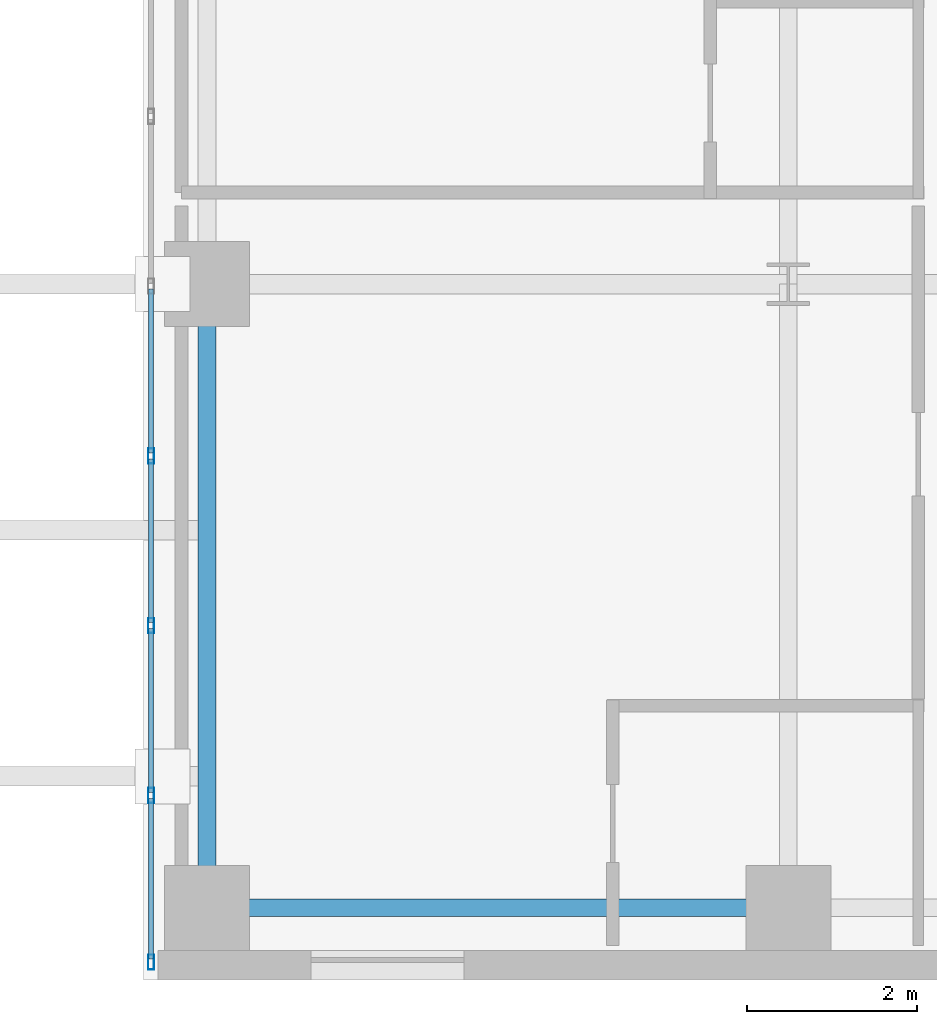
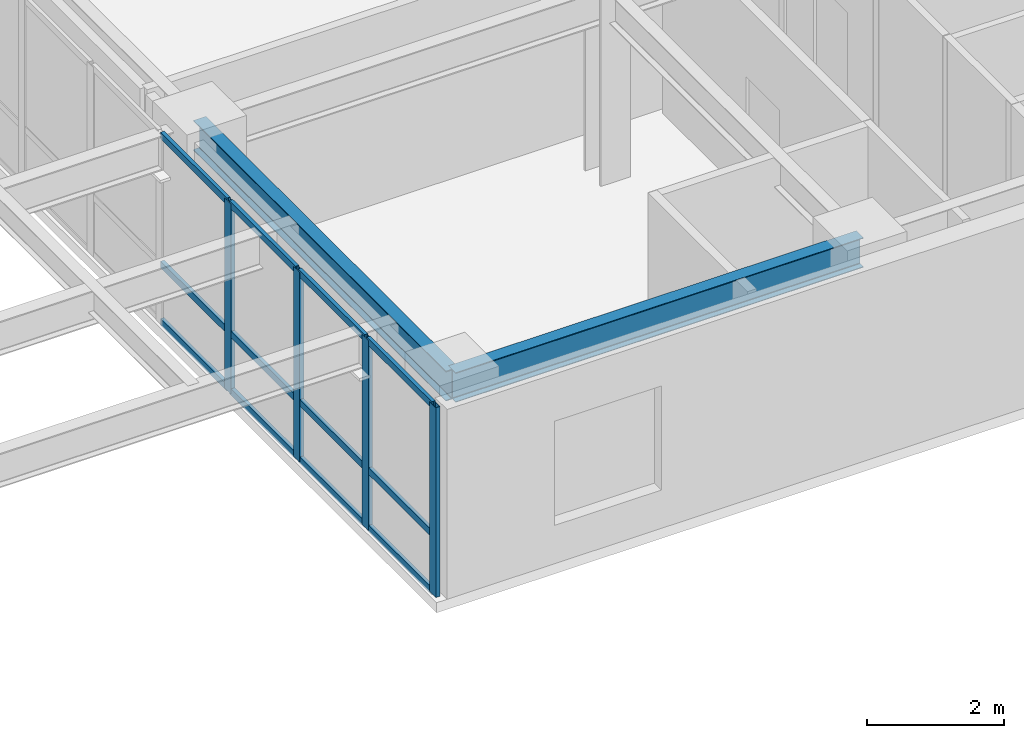
# One storey, part 5 of 16: 16 members, 2 beams, 1 element without a shape of its own.
"""IFC4 building model written with IfcOpenShell, lengths in metres."""

import ifcopenshell
import ifcopenshell.guid

model = None  # the IFC model being written
_history = None  # IfcOwnerHistory: only IFC2X3 demands one
_inside = {}  # id of a spatial element -> (the spatial element, [elements in it])
_under = {}  # id of a project, library or spatial element -> (it, [spatial elements below it])
_declared = {}  # id of a project -> (the project, [libraries it declares])
_typed = {}  # id of a type object -> (the type object, [elements of that type])
_made_of = {}  # id of a material, layer set ... -> (it, [elements and type objects made of it])


def new_model(schema):
    """Start an empty IFC model of exactly this schema.

    Asked for "IFC4X3", IfcOpenShell would pick the latest addendum, in which some entities
    have other attributes; the version numbers below select the first issue.
    IFC2X3 requires an IfcOwnerHistory on every rooted entity: one is made here for all.
    """
    global model, _history
    if schema == "IFC4X3":
        model = ifcopenshell.file(schema_version=(4, 3, 0, 0))
    else:
        model = ifcopenshell.file(schema=schema)
    _inside.clear()
    _under.clear()
    _declared.clear()
    _typed.clear()
    _made_of.clear()
    _history = None
    if model.schema == "IFC2X3":
        org = make("IfcOrganization", Name="unknown")
        user = make(
            "IfcPersonAndOrganization",
            ThePerson=make("IfcPerson", FamilyName="unknown"),
            TheOrganization=org,
        )
        app = make(
            "IfcApplication",
            ApplicationDeveloper=org,
            Version="unknown",
            ApplicationFullName="unknown",
            ApplicationIdentifier="unknown",
        )
        _history = make(
            "IfcOwnerHistory",
            OwningUser=user,
            OwningApplication=app,
            ChangeAction="ADDED",
            CreationDate=0,
        )
    return model


def make(cls, **values):
    """One entity of the class cls with the attributes given. An attribute that is None is left unset."""
    return model.create_entity(
        cls, **{name: value for name, value in values.items() if value is not None}
    )


def rooted(cls, **values):
    """An entity with a GlobalId (a new one), such as an element, a storey or a relation."""
    return make(cls, GlobalId=ifcopenshell.guid.new(), OwnerHistory=_history, **values)


def si_unit(unit_type, name, prefix=None):
    """IfcSIUnit, for example si_unit("LENGTHUNIT", "METRE", prefix="MILLI")."""
    return make("IfcSIUnit", UnitType=unit_type, Prefix=prefix, Name=name)


def assignment(units):
    """IfcUnitAssignment: the units of a project."""
    return None if units is None else make("IfcUnitAssignment", Units=units)


def point(xyz):
    """IfcCartesianPoint."""
    return None if xyz is None else make("IfcCartesianPoint", Coordinates=xyz)


def direction(xyz):
    """IfcDirection."""
    return None if xyz is None else make("IfcDirection", DirectionRatios=xyz)


def frame(location, z_axis=None, x_axis=None):
    """IfcAxis2Placement3D, a coordinate frame: its origin and axes. An axis left out is left unset."""
    return make(
        "IfcAxis2Placement3D",
        Location=point(location),
        Axis=direction(z_axis),
        RefDirection=direction(x_axis),
    )


def frame_2d(location, x_axis=None):
    """IfcAxis2Placement2D, a coordinate frame in the plane: its origin and x axis."""
    return make(
        "IfcAxis2Placement2D", Location=point(location), RefDirection=direction(x_axis)
    )


def origin():
    """The frame at (0, 0, 0) with its axes left unset."""
    return frame((0.0, 0.0, 0.0))


def origin_2d():
    """The frame at (0, 0) in the plane with its x axis left unset."""
    return frame_2d((0.0, 0.0))


def place(relative_to, where):
    """IfcLocalPlacement: puts the frame where relative to a parent placement (None: the world)."""
    return make(
        "IfcLocalPlacement", PlacementRelTo=relative_to, RelativePlacement=where
    )


def context(
    kind, dimensions, precision=None, world=None, true_north=None, identifier=None
):
    """IfcGeometricRepresentationContext, for example the 3D "Model" context."""
    return make(
        "IfcGeometricRepresentationContext",
        ContextIdentifier=identifier,
        ContextType=kind,
        CoordinateSpaceDimension=dimensions,
        Precision=precision,
        WorldCoordinateSystem=world,
        TrueNorth=true_north,
    )


def subcontext(parent, identifier, kind, view, scale=None):
    """IfcGeometricRepresentationSubContext, for example "Body" below "Model"."""
    return make(
        "IfcGeometricRepresentationSubContext",
        ContextIdentifier=identifier,
        ContextType=kind,
        ParentContext=parent,
        TargetScale=scale,
        TargetView=view,
    )


def project(units=None, contexts=None):
    """IfcProject with its units and contexts."""
    return rooted(
        "IfcProject",
        Name="project",
        RepresentationContexts=contexts,
        UnitsInContext=assignment(units),
    )


def spatial(cls, under=None, at=None, **own):
    """A site, building, storey or space (cls), placed at a placement, below another one or the project."""
    s = rooted(cls, ObjectPlacement=at, **own)
    if under is not None:
        _under.setdefault(under.id(), (under, []))[1].append(s)
    return s


def profile(cls, at=None, kind="AREA", **sizes):
    """A parametric profile (cls). Its sizes go by their IFC names, for example OverallWidth=200.0."""
    return make(cls, ProfileType=kind, Position=at, **sizes)


def hollow_rectangle(**sizes):
    """IfcRectangleHollowProfileDef."""
    return profile("IfcRectangleHollowProfileDef", **sizes)


def i_section(**sizes):
    """IfcIShapeProfileDef."""
    return profile("IfcIShapeProfileDef", **sizes)


def extrude(swept, where, along, depth):
    """IfcExtrudedAreaSolid: the profile swept, set in the frame where, extruded along a direction by depth."""
    return make(
        "IfcExtrudedAreaSolid",
        SweptArea=swept,
        Position=where,
        ExtrudedDirection=direction(along),
        Depth=depth,
    )


def shape(context_of_items, identifier, shape_type, items):
    """IfcShapeRepresentation: the items that make up one representation, for example the "Body"."""
    return make(
        "IfcShapeRepresentation",
        ContextOfItems=context_of_items,
        RepresentationIdentifier=identifier,
        RepresentationType=shape_type,
        Items=items,
    )


def source(mapping_origin, context_of_items, identifier, shape_type, items):
    """IfcRepresentationMap: a shape defined once, which mapped items show again and again."""
    return make(
        "IfcRepresentationMap",
        MappingOrigin=mapping_origin,
        MappedRepresentation=shape(context_of_items, identifier, shape_type, items),
    )


def transform(
    local_origin,
    x_axis=None,
    y_axis=None,
    z_axis=None,
    scale=None,
    scale2=None,
    scale3=None,
    uniform=True,
):
    """IfcCartesianTransformationOperator3D, or its non-uniform kind. x_axis, y_axis, z_axis: its Axis1, 2, 3."""
    if uniform:
        return make(
            "IfcCartesianTransformationOperator3D",
            Axis1=direction(x_axis),
            Axis2=direction(y_axis),
            LocalOrigin=point(local_origin),
            Scale=scale,
            Axis3=direction(z_axis),
        )
    return make(
        "IfcCartesianTransformationOperator3DnonUniform",
        Axis1=direction(x_axis),
        Axis2=direction(y_axis),
        LocalOrigin=point(local_origin),
        Scale=scale,
        Axis3=direction(z_axis),
        Scale2=scale2,
        Scale3=scale3,
    )


def mapped(mapping_source, mapping_target):
    """IfcMappedItem: shows the shape of a source again, moved by a transform."""
    return make(
        "IfcMappedItem", MappingSource=mapping_source, MappingTarget=mapping_target
    )


def material(Name=None, Category=None):
    """IfcMaterial."""
    return make("IfcMaterial", Name=Name, Category=Category)


def layer(
    of_material, thickness, ventilated=None, Name=None, Category=None, Priority=None
):
    """IfcMaterialLayer: one layer of a wall or slab, of a material (None: an air gap)."""
    return make(
        "IfcMaterialLayer",
        Material=of_material,
        LayerThickness=thickness,
        IsVentilated=ventilated,
        Name=Name,
        Category=Category,
        Priority=Priority,
    )


def layer_set(layers, Name=None):
    """IfcMaterialLayerSet."""
    return make("IfcMaterialLayerSet", MaterialLayers=layers, LayerSetName=Name)


def material_profile(
    of_material, cross_section, Name=None, Category=None, Priority=None
):
    """IfcMaterialProfile: a cross section and its material."""
    return make(
        "IfcMaterialProfile",
        Name=Name,
        Material=of_material,
        Profile=cross_section,
        Priority=Priority,
        Category=Category,
    )


def profile_set(profiles, Name=None, composite=None):
    """IfcMaterialProfileSet."""
    return make(
        "IfcMaterialProfileSet",
        Name=Name,
        MaterialProfiles=profiles,
        CompositeProfile=composite,
    )


def made_of(thing, what):
    """Note that an element or type object is made of a material, layer set ...; save() writes the relation."""
    if what is not None:
        _made_of.setdefault(what.id(), (what, []))[1].append(thing)
    return thing


def type_object(cls, material=None, **own):
    """A type object (cls), such as IfcWallType, which elements share."""
    return made_of(rooted(cls, **own), material)


def type_shapes(of_type, sources):
    """Give a type object the sources (RepresentationMaps) that its elements show as mapped items."""
    of_type.RepresentationMaps = sources


def element(
    cls,
    number,
    at=None,
    inside=None,
    cuts=None,
    type_object=None,
    material=None,
    context=None,
    identifier="Body",
    shape_type=None,
    held_by="IfcProductDefinitionShape",
    body=None,
    shapes=None,
    **own,
):
    """One element of the class cls, such as IfcWall. Its Tag is "e" and its number.

    at: its placement. inside: the storey or other place that contains it. cuts: it is an
    opening in that element (IfcRelVoidsElement). A single representation is given by context,
    identifier, shape_type and body (its items); several are given by shapes. held_by: the class
    of the entity that holds the representations. save() writes the other relations.
    """
    e = rooted(cls, Tag="e%d" % number, ObjectPlacement=at, **own)
    if body is not None:
        shapes = [shape(context, identifier, shape_type, body)]
    if shapes is not None:
        e.Representation = make(held_by, Representations=shapes)
    if inside is not None:
        _inside.setdefault(inside.id(), (inside, []))[1].append(e)
    if cuts is not None:
        rooted(
            "IfcRelVoidsElement", RelatingBuildingElement=cuts, RelatedOpeningElement=e
        )
    if type_object is not None:
        _typed.setdefault(type_object.id(), (type_object, []))[1].append(e)
    return made_of(e, material)


def aggregate(whole, parts):
    """IfcRelAggregates: a whole, such as a stair, and the parts it consists of."""
    return rooted("IfcRelAggregates", RelatingObject=whole, RelatedObjects=parts)


def save(model, path):
    """Write the relations noted so far, then the file.

    IfcRelAggregates (storeys below a building ...), IfcRelContainedInSpatialStructure (elements
    in a storey), IfcRelDefinesByType, IfcRelAssociatesMaterial and IfcRelDeclares: one each for
    every whole, place, type object, material and project.
    """
    for whole, parts in _under.values():
        aggregate(whole, parts)
    for where, things in _inside.values():
        rooted(
            "IfcRelContainedInSpatialStructure",
            RelatedElements=things,
            RelatingStructure=where,
        )
    for kind, things in _typed.values():
        rooted("IfcRelDefinesByType", RelatedObjects=things, RelatingType=kind)
    for what, things in _made_of.values():
        rooted("IfcRelAssociatesMaterial", RelatedObjects=things, RelatingMaterial=what)
    for by, libraries in _declared.values():
        rooted("IfcRelDeclares", RelatingContext=by, RelatedDefinitions=libraries)
    model.write(path)


model = new_model("IFC4")

# Units and contexts
model_context = context("Model", 3, precision=1e-05, world=origin(), true_north=direction((0.0, 1.0)))
body_context = subcontext(model_context, "Body", "Model", "MODEL_VIEW")
ifc_project = project(units=[si_unit("LENGTHUNIT", "METRE"), si_unit("AREAUNIT", "SQUARE_METRE"), si_unit("VOLUMEUNIT", "CUBIC_METRE"), si_unit("PLANEANGLEUNIT", "RADIAN"), si_unit("MASSUNIT", "GRAM", prefix="KILO")], contexts=[model_context])

# Site, building, storey
site_placement = place(None, origin())
site = spatial("IfcSite", under=ifc_project, at=site_placement, CompositionType="ELEMENT")
building_placement = place(site_placement, origin())
building = spatial("IfcBuilding", under=site, at=building_placement, Name="Tolvann Quenvar Hotel", CompositionType="ELEMENT")
storey_placement = place(building_placement, frame((0.0, 0.0, 71.050048828125)))
storey = spatial("IfcBuildingStorey", under=building, at=storey_placement, Name="L17", CompositionType="ELEMENT", Elevation=71.050048828125)

# Beams
ifc_material_1 = material(Name="Steel Grade 350", Category="steel")
ifc_material_profile_1 = material_profile(ifc_material_1, i_section(OverallWidth=0.208984375, OverallDepth=0.528076171875, WebThickness=0.009521484375, FlangeThickness=0.01318359375, FilletRadius=0.013916015625, at=origin_2d()), Name="530UB82")
ifc_profile_set_1 = profile_set([ifc_material_profile_1], Name="Steel Grade 350")
beam_type_1 = type_object("IfcBeamType", Name="BM_SPAND_530UB82", PredefinedType="SPANDREL", material=ifc_profile_set_1)
shared_shape_1 = source(origin(), body_context, "Body", "SweptSolid", [
    extrude(i_section(OverallWidth=0.208984375, OverallDepth=0.528076171875, WebThickness=0.009521484375, FlangeThickness=0.01318359375, FilletRadius=0.013916015625, at=origin_2d()), origin(), (0.0, 0.0, 1.0), 6.85009765625),
])
type_shapes(beam_type_1, [shared_shape_1])
beam_1_placement = place(storey_placement, frame((34.949951171875, 0.85009765625, 3.10595703125), z_axis=(1.0, 0.0, 0.0), x_axis=(0.0, 1.0, 0.0)))
element("IfcBeam", 1, at=beam_1_placement, inside=storey, type_object=beam_type_1, Name="BM-L17-EW-2-F2-H2", PredefinedType="SPANDREL", context=body_context, shape_type="MappedRepresentation", body=[
    mapped(shared_shape_1, transform((0.0, 0.0, 0.0), x_axis=(1.0, 0.0, 0.0), y_axis=(0.0, 1.0, 0.0), z_axis=(0.0, 0.0, 1.0), scale=1.0)),
])
ifc_material_profile_2 = material_profile(ifc_material_1, i_section(OverallWidth=0.208984375, OverallDepth=0.532958984375, WebThickness=0.01025390625, FlangeThickness=0.015625, FilletRadius=0.013916015625, at=origin_2d()), Name="530UB92")
ifc_profile_set_2 = profile_set([ifc_material_profile_2], Name="Steel Grade 350")
beam_type_2 = type_object("IfcBeamType", Name="BM_GIRD_530UB92", PredefinedType="BEAM", material=ifc_profile_set_2)
shared_shape_2 = source(origin(), body_context, "Body", "SweptSolid", [
    extrude(i_section(OverallWidth=0.208984375, OverallDepth=0.532958984375, WebThickness=0.01025390625, FlangeThickness=0.015625, FilletRadius=0.013916015625, at=origin_2d()), origin(), (0.0, 0.0, 1.0), 7.349853515625),
])
type_shapes(beam_type_2, [shared_shape_2])
beam_2_placement = place(storey_placement, frame((34.949951171875, 0.85009765625, 3.103515625), z_axis=(0.0, 1.0, 0.0), x_axis=(-1.0, 0.0, 0.0)))
element("IfcBeam", 2, at=beam_2_placement, inside=storey, type_object=beam_type_2, Name="BM-L17-NS-F2-F3", PredefinedType="BEAM", context=body_context, shape_type="MappedRepresentation", body=[
    mapped(shared_shape_2, transform((0.0, 0.0, 0.0), x_axis=(1.0, 0.0, 0.0), y_axis=(0.0, 1.0, 0.0), z_axis=(0.0, 0.0, 1.0), scale=1.0)),
])

# Curtain wall, members
ifc_material_2 = material(Name="Thermally broken anodised architectural aluminium 6063-T6 and laminated low-E glass", Category="aluminium")
ifc_layer = layer(ifc_material_2, 0.179931640625)
ifc_layer_set = layer_set([ifc_layer], Name="Thermally broken anodised architectural aluminium 6063-T6 and laminated low-E glass")
curtain_wall_type = type_object("IfcCurtainWallType", Name="CW_SYS_SLOT_03", PredefinedType="USERDEFINED", material=ifc_layer_set)
curtain_wall_placement = place(storey_placement, origin())
curtain_wall = element("IfcCurtainWall", 3, at=curtain_wall_placement, inside=storey, type_object=curtain_wall_type, Name="Curtain Wall CW-SLOT-03 (CWR-L17-E07)", ObjectType="UNITISED CURTAIN WALL", PredefinedType="USERDEFINED")
ifc_material_3 = material(Name="Anodised architectural aluminium 6063-T6 framing", Category="aluminium")
ifc_material_profile_3 = material_profile(ifc_material_3, hollow_rectangle(XDim=0.06005859375, YDim=0.1201171875, WallThickness=0.00341796875, at=origin_2d()), Name="120x60x3.5RHS")
ifc_profile_set_3 = profile_set([ifc_material_profile_3], Name="Anodised architectural aluminium 6063-T6 framing")
member_type_1 = type_object("IfcMemberType", Name="CW_TRAN_120x60", PredefinedType="USERDEFINED", material=ifc_profile_set_3)
shared_shape_3 = source(origin(), body_context, "Body", "SweptSolid", [
    extrude(hollow_rectangle(XDim=0.06005859375, YDim=0.1201171875, WallThickness=0.00341796875, at=origin_2d()), origin(), (0.0, 0.0, 1.0), 1.894775390625),
])
member_1_placement = place(storey_placement, frame((34.2900390625, 2.139892578125, 0.030029296875), z_axis=(0.0, -1.0, 0.0), x_axis=(1.0, 0.0, 0.0)))
member_1 = element("IfcMember", 4, at=member_1_placement, type_object=member_type_1, Name="CW-SLOT-03 transom 8.1", ObjectType="TRANSOM", PredefinedType="USERDEFINED", context=body_context, shape_type="MappedRepresentation", body=[
    mapped(shared_shape_3, transform((0.0, 0.0, 0.0), x_axis=(1.0, 0.0, 0.0), y_axis=(0.0, 1.0, 0.0), z_axis=(0.0, 0.0, 1.0), scale=1.0)),
])
member_2_placement = place(storey_placement, frame((34.2900390625, 2.139892578125, 1.050048828125), z_axis=(0.0, -1.0, 0.0), x_axis=(1.0, 0.0, 0.0)))
member_2 = element("IfcMember", 5, at=member_2_placement, type_object=member_type_1, Name="CW-SLOT-03 transom 8.2", ObjectType="TRANSOM", PredefinedType="USERDEFINED", context=body_context, shape_type="MappedRepresentation", body=[
    mapped(shared_shape_3, transform((0.0, 0.0, 0.0), x_axis=(1.0, 0.0, 0.0), y_axis=(0.0, 1.0, 0.0), z_axis=(0.0, 0.0, 1.0), scale=1.0)),
])
member_3_placement = place(storey_placement, frame((34.2900390625, 2.139892578125, 3.33984375), z_axis=(0.0, -1.0, 0.0), x_axis=(1.0, 0.0, 0.0)))
member_3 = element("IfcMember", 6, at=member_3_placement, type_object=member_type_1, Name="CW-SLOT-03 transom 8.3", ObjectType="TRANSOM", PredefinedType="USERDEFINED", context=body_context, shape_type="MappedRepresentation", body=[
    mapped(shared_shape_3, transform((0.0, 0.0, 0.0), x_axis=(1.0, 0.0, 0.0), y_axis=(0.0, 1.0, 0.0), z_axis=(0.0, 0.0, 1.0), scale=1.0)),
])
shared_shape_4 = source(origin(), body_context, "Body", "SweptSolid", [
    extrude(hollow_rectangle(XDim=0.06005859375, YDim=0.1201171875, WallThickness=0.00341796875, at=origin_2d()), origin(), (0.0, 0.0, 1.0), 1.929931640625),
])
type_shapes(member_type_1, [shared_shape_3, shared_shape_4])
member_4_placement = place(storey_placement, frame((34.2900390625, 8.139892578125, 0.030029296875), z_axis=(0.0, -1.0, 0.0), x_axis=(1.0, 0.0, 0.0)))
member_4 = element("IfcMember", 7, at=member_4_placement, type_object=member_type_1, Name="CW-SLOT-03 transom 5.1", ObjectType="TRANSOM", PredefinedType="USERDEFINED", context=body_context, shape_type="MappedRepresentation", body=[
    mapped(shared_shape_4, transform((0.0, 0.0, 0.0), x_axis=(1.0, 0.0, 0.0), y_axis=(0.0, 1.0, 0.0), z_axis=(0.0, 0.0, 1.0), scale=1.0)),
])
member_5_placement = place(storey_placement, frame((34.2900390625, 8.139892578125, 1.050048828125), z_axis=(0.0, -1.0, 0.0), x_axis=(1.0, 0.0, 0.0)))
member_5 = element("IfcMember", 8, at=member_5_placement, type_object=member_type_1, Name="CW-SLOT-03 transom 5.2", ObjectType="TRANSOM", PredefinedType="USERDEFINED", context=body_context, shape_type="MappedRepresentation", body=[
    mapped(shared_shape_4, transform((0.0, 0.0, 0.0), x_axis=(1.0, 0.0, 0.0), y_axis=(0.0, 1.0, 0.0), z_axis=(0.0, 0.0, 1.0), scale=1.0)),
])
member_6_placement = place(storey_placement, frame((34.2900390625, 8.139892578125, 3.33984375), z_axis=(0.0, -1.0, 0.0), x_axis=(1.0, 0.0, 0.0)))
member_6 = element("IfcMember", 9, at=member_6_placement, type_object=member_type_1, Name="CW-SLOT-03 transom 5.3", ObjectType="TRANSOM", PredefinedType="USERDEFINED", context=body_context, shape_type="MappedRepresentation", body=[
    mapped(shared_shape_4, transform((0.0, 0.0, 0.0), x_axis=(1.0, 0.0, 0.0), y_axis=(0.0, 1.0, 0.0), z_axis=(0.0, 0.0, 1.0), scale=1.0)),
])
member_7_placement = place(storey_placement, frame((34.2900390625, 6.139892578125, 0.030029296875), z_axis=(0.0, -1.0, 0.0), x_axis=(1.0, 0.0, 0.0)))
member_7 = element("IfcMember", 10, at=member_7_placement, type_object=member_type_1, Name="CW-SLOT-03 transom 6.1", ObjectType="TRANSOM", PredefinedType="USERDEFINED", context=body_context, shape_type="MappedRepresentation", body=[
    mapped(shared_shape_4, transform((0.0, 0.0, 0.0), x_axis=(1.0, 0.0, 0.0), y_axis=(0.0, 1.0, 0.0), z_axis=(0.0, 0.0, 1.0), scale=1.0)),
])
member_8_placement = place(storey_placement, frame((34.2900390625, 6.139892578125, 1.050048828125), z_axis=(0.0, -1.0, 0.0), x_axis=(1.0, 0.0, 0.0)))
member_8 = element("IfcMember", 11, at=member_8_placement, type_object=member_type_1, Name="CW-SLOT-03 transom 6.2", ObjectType="TRANSOM", PredefinedType="USERDEFINED", context=body_context, shape_type="MappedRepresentation", body=[
    mapped(shared_shape_4, transform((0.0, 0.0, 0.0), x_axis=(1.0, 0.0, 0.0), y_axis=(0.0, 1.0, 0.0), z_axis=(0.0, 0.0, 1.0), scale=1.0)),
])
member_9_placement = place(storey_placement, frame((34.2900390625, 6.139892578125, 3.33984375), z_axis=(0.0, -1.0, 0.0), x_axis=(1.0, 0.0, 0.0)))
member_9 = element("IfcMember", 12, at=member_9_placement, type_object=member_type_1, Name="CW-SLOT-03 transom 6.3", ObjectType="TRANSOM", PredefinedType="USERDEFINED", context=body_context, shape_type="MappedRepresentation", body=[
    mapped(shared_shape_4, transform((0.0, 0.0, 0.0), x_axis=(1.0, 0.0, 0.0), y_axis=(0.0, 1.0, 0.0), z_axis=(0.0, 0.0, 1.0), scale=1.0)),
])
member_10_placement = place(storey_placement, frame((34.2900390625, 4.139892578125, 0.030029296875), z_axis=(0.0, -1.0, 0.0), x_axis=(1.0, 0.0, 0.0)))
member_10 = element("IfcMember", 13, at=member_10_placement, type_object=member_type_1, Name="CW-SLOT-03 transom 7.1", ObjectType="TRANSOM", PredefinedType="USERDEFINED", context=body_context, shape_type="MappedRepresentation", body=[
    mapped(shared_shape_4, transform((0.0, 0.0, 0.0), x_axis=(1.0, 0.0, 0.0), y_axis=(0.0, 1.0, 0.0), z_axis=(0.0, 0.0, 1.0), scale=1.0)),
])
member_11_placement = place(storey_placement, frame((34.2900390625, 4.139892578125, 1.050048828125), z_axis=(0.0, -1.0, 0.0), x_axis=(1.0, 0.0, 0.0)))
member_11 = element("IfcMember", 14, at=member_11_placement, type_object=member_type_1, Name="CW-SLOT-03 transom 7.2", ObjectType="TRANSOM", PredefinedType="USERDEFINED", context=body_context, shape_type="MappedRepresentation", body=[
    mapped(shared_shape_4, transform((0.0, 0.0, 0.0), x_axis=(1.0, 0.0, 0.0), y_axis=(0.0, 1.0, 0.0), z_axis=(0.0, 0.0, 1.0), scale=1.0)),
])
member_12_placement = place(storey_placement, frame((34.2900390625, 4.139892578125, 3.33984375), z_axis=(0.0, -1.0, 0.0), x_axis=(1.0, 0.0, 0.0)))
member_12 = element("IfcMember", 15, at=member_12_placement, type_object=member_type_1, Name="CW-SLOT-03 transom 7.3", ObjectType="TRANSOM", PredefinedType="USERDEFINED", context=body_context, shape_type="MappedRepresentation", body=[
    mapped(shared_shape_4, transform((0.0, 0.0, 0.0), x_axis=(1.0, 0.0, 0.0), y_axis=(0.0, 1.0, 0.0), z_axis=(0.0, 0.0, 1.0), scale=1.0)),
])
ifc_material_profile_4 = material_profile(ifc_material_3, hollow_rectangle(XDim=0.070068359375, YDim=0.179931640625, WallThickness=0.00390625, at=origin_2d()), Name="180x70x4RHS")
ifc_profile_set_4 = profile_set([ifc_material_profile_4], Name="Anodised architectural aluminium 6063-T6 framing")
member_type_2 = type_object("IfcMemberType", Name="CW_MULL_180x70", PredefinedType="MULLION", material=ifc_profile_set_4)
shared_shape_5 = source(origin(), body_context, "Body", "SweptSolid", [
    extrude(hollow_rectangle(XDim=0.070068359375, YDim=0.179931640625, WallThickness=0.00390625, at=origin_2d()), origin(), (0.0, 0.0, 1.0), 3.369873046875),
])
type_shapes(member_type_2, [shared_shape_5])
member_13_placement = place(storey_placement, frame((34.2900390625, 6.175048828125, 0.0), z_axis=(0.0, 0.0, 1.0), x_axis=(1.0, 0.0, 0.0)))
member_13 = element("IfcMember", 16, at=member_13_placement, type_object=member_type_2, Name="CW-SLOT-03 mullion 6", PredefinedType="MULLION", context=body_context, shape_type="MappedRepresentation", body=[
    mapped(shared_shape_5, transform((0.0, 0.0, 0.0), x_axis=(1.0, 0.0, 0.0), y_axis=(0.0, 1.0, 0.0), z_axis=(0.0, 0.0, 1.0), scale=1.0)),
])
member_14_placement = place(storey_placement, frame((34.2900390625, 4.175048828125, 0.0), z_axis=(0.0, 0.0, 1.0), x_axis=(1.0, 0.0, 0.0)))
member_14 = element("IfcMember", 17, at=member_14_placement, type_object=member_type_2, Name="CW-SLOT-03 mullion 7", PredefinedType="MULLION", context=body_context, shape_type="MappedRepresentation", body=[
    mapped(shared_shape_5, transform((0.0, 0.0, 0.0), x_axis=(1.0, 0.0, 0.0), y_axis=(0.0, 1.0, 0.0), z_axis=(0.0, 0.0, 1.0), scale=1.0)),
])
member_15_placement = place(storey_placement, frame((34.2900390625, 2.175048828125, 0.0), z_axis=(0.0, 0.0, 1.0), x_axis=(1.0, 0.0, 0.0)))
member_15 = element("IfcMember", 18, at=member_15_placement, type_object=member_type_2, Name="CW-SLOT-03 mullion 8", PredefinedType="MULLION", context=body_context, shape_type="MappedRepresentation", body=[
    mapped(shared_shape_5, transform((0.0, 0.0, 0.0), x_axis=(1.0, 0.0, 0.0), y_axis=(0.0, 1.0, 0.0), z_axis=(0.0, 0.0, 1.0), scale=1.0)),
])
member_16_placement = place(storey_placement, frame((34.2900390625, 0.2099609375, 0.0), z_axis=(0.0, 0.0, 1.0), x_axis=(1.0, 0.0, 0.0)))
member_16 = element("IfcMember", 19, at=member_16_placement, type_object=member_type_2, Name="CW-SLOT-03 mullion 9", PredefinedType="MULLION", context=body_context, shape_type="MappedRepresentation", body=[
    mapped(shared_shape_5, transform((0.0, 0.0, 0.0), x_axis=(1.0, 0.0, 0.0), y_axis=(0.0, 1.0, 0.0), z_axis=(0.0, 0.0, 1.0), scale=1.0)),
])
aggregate(curtain_wall, [member_13, member_14, member_15, member_16, member_4, member_5, member_6, member_7, member_8, member_9, member_10, member_11, member_12, member_1, member_2, member_3])

save(model, "model.ifc")
